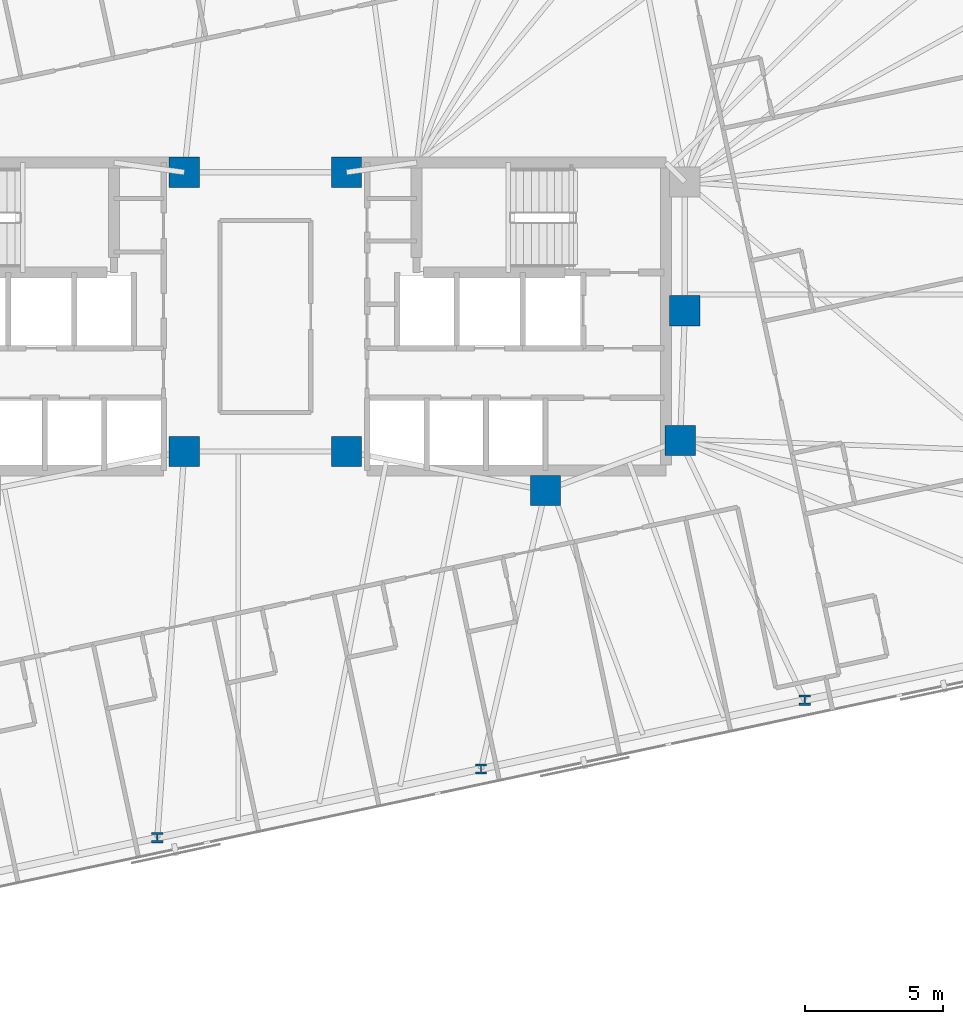
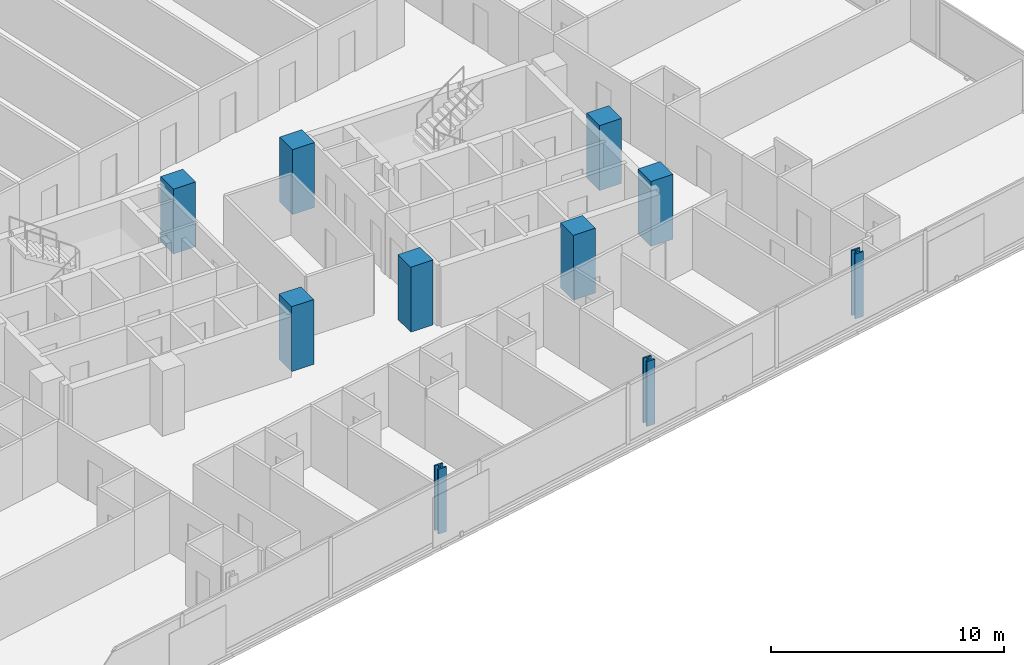
# One storey, part 3 of 21: 10 columns.
"""IFC4 building model written with IfcOpenShell, lengths in metres."""

from ifc_helpers import new_model, si_unit, direction, frame, origin, origin_2d, place, context, subcontext, project, spatial, rectangle, i_section, extrude, material, material_profile, profile_set, type_object, element, save


model = new_model("IFC4")

# Units and contexts
model_context = context("Model", 3, precision=1e-05, world=origin(), true_north=direction((0.0, 1.0)))
body_context = subcontext(model_context, "Body", "Model", "MODEL_VIEW")
ifc_project = project(units=[si_unit("LENGTHUNIT", "METRE"), si_unit("AREAUNIT", "SQUARE_METRE"), si_unit("VOLUMEUNIT", "CUBIC_METRE"), si_unit("PLANEANGLEUNIT", "RADIAN"), si_unit("MASSUNIT", "GRAM", prefix="KILO")], contexts=[model_context])

# Site, building, storey
site_placement = place(None, origin())
site = spatial("IfcSite", under=ifc_project, at=site_placement, CompositionType="ELEMENT")
building_placement = place(site_placement, origin())
building = spatial("IfcBuilding", under=site, at=building_placement, Name="Menara Jurai Vektor", CompositionType="ELEMENT")
storey_placement = place(building_placement, frame((0.0, 0.0, 188.800048828125)))
storey = spatial("IfcBuildingStorey", under=building, at=storey_placement, Name="L49", CompositionType="ELEMENT", Elevation=188.800048828125)

# Columns
ifc_material_1 = material(Name="Concrete C50/60", Category="concrete")
ifc_material_profile_1 = material_profile(ifc_material_1, rectangle(XDim=1.10009765625, YDim=1.10009765625, at=origin_2d()), Name="RC 1100x1100")
ifc_profile_set_1 = profile_set([ifc_material_profile_1], Name="Concrete C50/60")
column_type_1 = type_object("IfcColumnType", Name="STR-COL-RC1100", PredefinedType="COLUMN", material=ifc_profile_set_1)
for number, where, z_axis, x_axis, name in (
    (1, (-2.949951171875, -4.89990234375, 0.0), (0.0, 0.0, 1.0), (1.0, 0.0, 0.0), "Core Spine Column CW-SE L49"),
    (2, (-2.949951171875, 5.25, 0.0), (0.0, 0.0, 1.0), (1.0, 0.0, 0.0), "Core Spine Column CW-NE L49"),
    (3, (15.25, 0.219970703125, 0.0), (0.0, 0.0, 1.0), (1.0, 0.0, 0.0), "Core Spine Column CE-EM L49"),
    (4, (15.080078125, -4.5, 0.0), (0.0, 0.0, 1.0), (1.0, 0.0, 0.0), "Core Spine Column CE-SE L49"),
    (5, (10.179931640625, -6.320068359375, 0.0), (0.0, 0.0, 1.0), (1.0, 0.0, 0.0), "Core Spine Column CE-SM L49"),
    (6, (2.949951171875, -4.89990234375, 0.0), (0.0, 0.0, 1.0), (1.0, 0.0, 0.0), "Core Spine Column CE-SW L49"),
    (7, (2.949951171875, 5.25, 0.0), (0.0, 0.0, 1.0), (1.0, 0.0, 0.0), "Core Spine Column CE-NW L49"),
):
    element("IfcColumn", number, at=place(storey_placement, frame(where, z_axis=z_axis, x_axis=x_axis)), inside=storey, type_object=column_type_1, Name=name, PredefinedType="COLUMN", context=body_context, shape_type="SweptSolid", body=[
        extrude(rectangle(XDim=1.10009765625, YDim=1.10009765625, at=origin_2d()), origin(), (0.0, 0.0, 1.0), 3.39990234375),
    ])
ifc_material_2 = material(Name="Steel S460", Category="steel")
ifc_material_profile_2 = material_profile(ifc_material_2, i_section(OverallWidth=0.408935546875, OverallDepth=0.3740234375, WebThickness=0.048095703125, FlangeThickness=0.076904296875, FilletRadius=0.014892578125, at=origin_2d()), Name="HD 400x634")
ifc_profile_set_2 = profile_set([ifc_material_profile_2], Name="Steel S460")
column_type_2 = type_object("IfcColumnType", Name="STR-EXO-BLK3", PredefinedType="COLUMN", material=ifc_profile_set_2)
for number, where, z_axis, x_axis, name in (
    (8, (-3.928466796875, -18.94287109375, 0.0), (0.0, 0.0, 1.0), (1.0, 0.0, 0.0), "Exoskeleton Column BLK3-S3 L49"),
    (9, (7.83984375, -16.44140625, 0.0), (0.0, 0.0, 1.0), (1.0, 0.0, 0.0), "Exoskeleton Column BLK3-S4 L49"),
    (10, (19.608154296875, -13.940185546875, 0.0), (0.0, 0.0, 1.0), (1.0, 0.0, 0.0), "Exoskeleton Column BLK3-S5 L49"),
):
    element("IfcColumn", number, at=place(storey_placement, frame(where, z_axis=z_axis, x_axis=x_axis)), inside=storey, type_object=column_type_2, Name=name, PredefinedType="COLUMN", context=body_context, shape_type="SweptSolid", body=[
        extrude(i_section(OverallWidth=0.408935546875, OverallDepth=0.3740234375, WebThickness=0.048095703125, FlangeThickness=0.076904296875, FilletRadius=0.014892578125, at=origin_2d()), origin(), (0.0, 0.0, 1.0), 3.39990234375),
    ])

save(model, "model.ifc")
